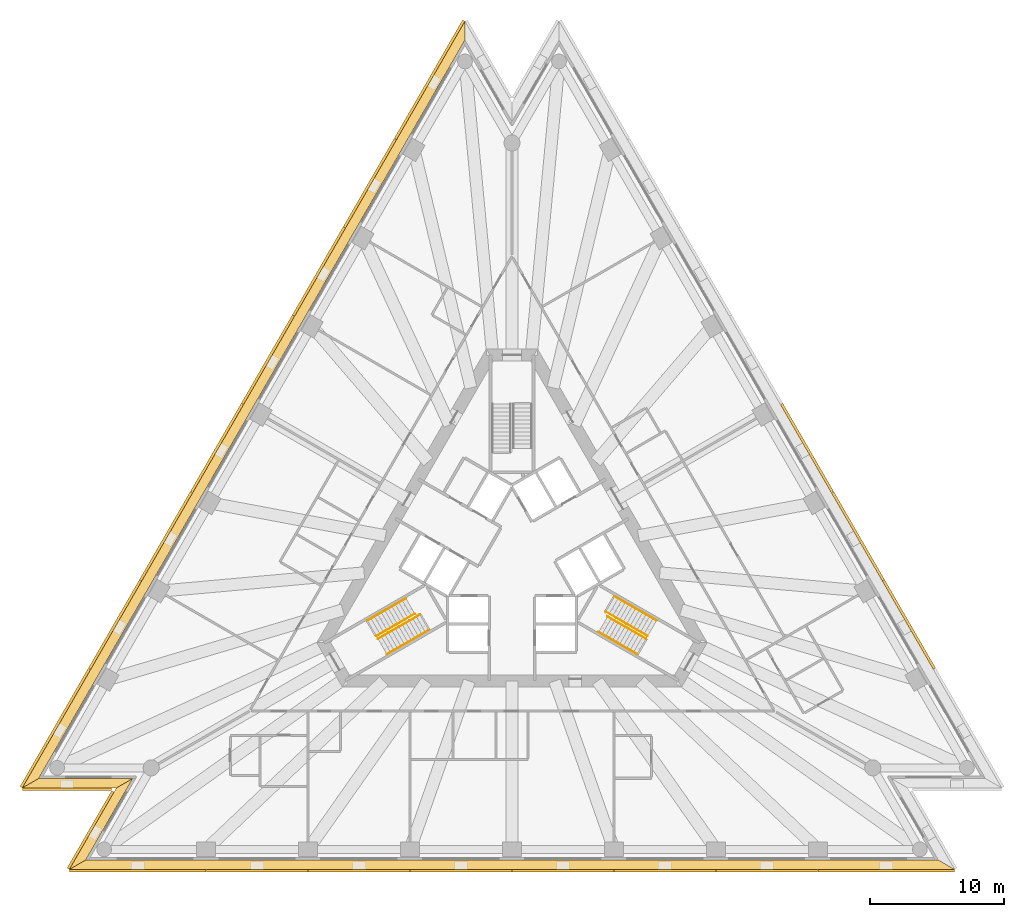
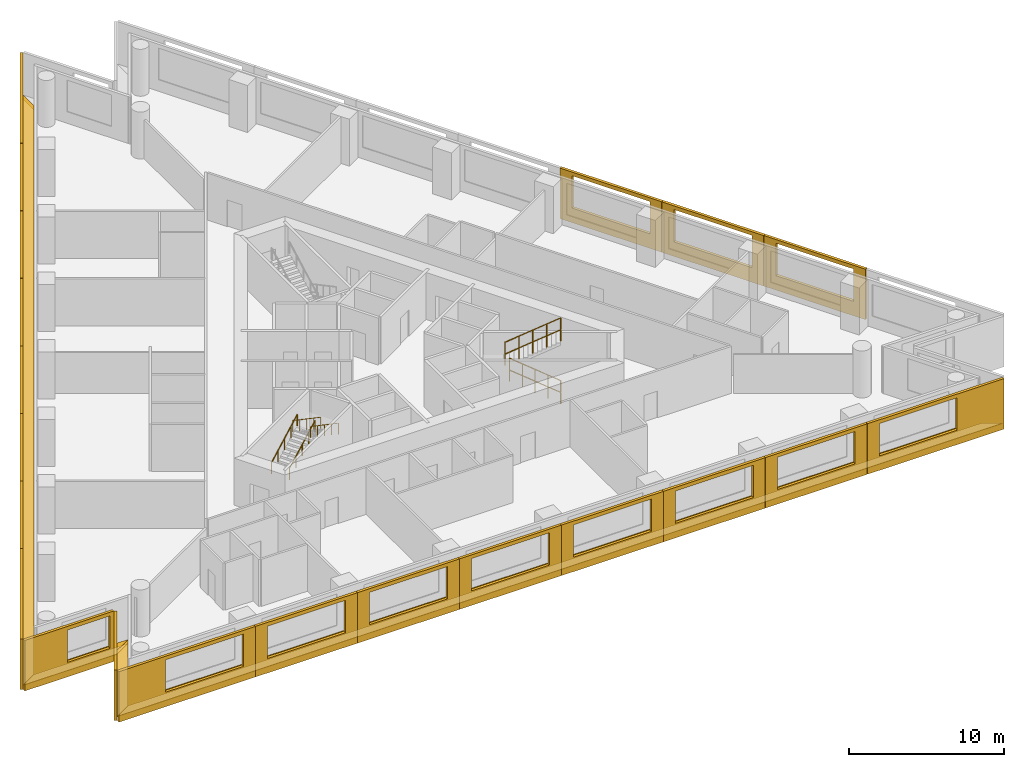
# One storey, part 10 of 11: 25 shading devices, 8 railings, 4 coverings, 2 elements without a shape of their own.
"""IFC4 building model written with IfcOpenShell, lengths in metres."""

import ifcopenshell
import ifcopenshell.guid

model = None  # the IFC model being written
_history = None  # IfcOwnerHistory: only IFC2X3 demands one
_inside = {}  # id of a spatial element -> (the spatial element, [elements in it])
_under = {}  # id of a project, library or spatial element -> (it, [spatial elements below it])
_declared = {}  # id of a project -> (the project, [libraries it declares])
_typed = {}  # id of a type object -> (the type object, [elements of that type])
_made_of = {}  # id of a material, layer set ... -> (it, [elements and type objects made of it])


def new_model(schema):
    """Start an empty IFC model of exactly this schema.

    Asked for "IFC4X3", IfcOpenShell would pick the latest addendum, in which some entities
    have other attributes; the version numbers below select the first issue.
    IFC2X3 requires an IfcOwnerHistory on every rooted entity: one is made here for all.
    """
    global model, _history
    if schema == "IFC4X3":
        model = ifcopenshell.file(schema_version=(4, 3, 0, 0))
    else:
        model = ifcopenshell.file(schema=schema)
    _inside.clear()
    _under.clear()
    _declared.clear()
    _typed.clear()
    _made_of.clear()
    _history = None
    if model.schema == "IFC2X3":
        org = make("IfcOrganization", Name="unknown")
        user = make(
            "IfcPersonAndOrganization",
            ThePerson=make("IfcPerson", FamilyName="unknown"),
            TheOrganization=org,
        )
        app = make(
            "IfcApplication",
            ApplicationDeveloper=org,
            Version="unknown",
            ApplicationFullName="unknown",
            ApplicationIdentifier="unknown",
        )
        _history = make(
            "IfcOwnerHistory",
            OwningUser=user,
            OwningApplication=app,
            ChangeAction="ADDED",
            CreationDate=0,
        )
    return model


def make(cls, **values):
    """One entity of the class cls with the attributes given. An attribute that is None is left unset."""
    return model.create_entity(
        cls, **{name: value for name, value in values.items() if value is not None}
    )


def rooted(cls, **values):
    """An entity with a GlobalId (a new one), such as an element, a storey or a relation."""
    return make(cls, GlobalId=ifcopenshell.guid.new(), OwnerHistory=_history, **values)


def si_unit(unit_type, name, prefix=None):
    """IfcSIUnit, for example si_unit("LENGTHUNIT", "METRE", prefix="MILLI")."""
    return make("IfcSIUnit", UnitType=unit_type, Prefix=prefix, Name=name)


def assignment(units):
    """IfcUnitAssignment: the units of a project."""
    return None if units is None else make("IfcUnitAssignment", Units=units)


def point(xyz):
    """IfcCartesianPoint."""
    return None if xyz is None else make("IfcCartesianPoint", Coordinates=xyz)


def direction(xyz):
    """IfcDirection."""
    return None if xyz is None else make("IfcDirection", DirectionRatios=xyz)


def frame(location, z_axis=None, x_axis=None):
    """IfcAxis2Placement3D, a coordinate frame: its origin and axes. An axis left out is left unset."""
    return make(
        "IfcAxis2Placement3D",
        Location=point(location),
        Axis=direction(z_axis),
        RefDirection=direction(x_axis),
    )


def frame_2d(location, x_axis=None):
    """IfcAxis2Placement2D, a coordinate frame in the plane: its origin and x axis."""
    return make(
        "IfcAxis2Placement2D", Location=point(location), RefDirection=direction(x_axis)
    )


def origin():
    """The frame at (0, 0, 0) with its axes left unset."""
    return frame((0.0, 0.0, 0.0))


def origin_2d():
    """The frame at (0, 0) in the plane with its x axis left unset."""
    return frame_2d((0.0, 0.0))


def place(relative_to, where):
    """IfcLocalPlacement: puts the frame where relative to a parent placement (None: the world)."""
    return make(
        "IfcLocalPlacement", PlacementRelTo=relative_to, RelativePlacement=where
    )


def context(
    kind, dimensions, precision=None, world=None, true_north=None, identifier=None
):
    """IfcGeometricRepresentationContext, for example the 3D "Model" context."""
    return make(
        "IfcGeometricRepresentationContext",
        ContextIdentifier=identifier,
        ContextType=kind,
        CoordinateSpaceDimension=dimensions,
        Precision=precision,
        WorldCoordinateSystem=world,
        TrueNorth=true_north,
    )


def subcontext(parent, identifier, kind, view, scale=None):
    """IfcGeometricRepresentationSubContext, for example "Body" below "Model"."""
    return make(
        "IfcGeometricRepresentationSubContext",
        ContextIdentifier=identifier,
        ContextType=kind,
        ParentContext=parent,
        TargetScale=scale,
        TargetView=view,
    )


def project(units=None, contexts=None):
    """IfcProject with its units and contexts."""
    return rooted(
        "IfcProject",
        Name="project",
        RepresentationContexts=contexts,
        UnitsInContext=assignment(units),
    )


def spatial(cls, under=None, at=None, **own):
    """A site, building, storey or space (cls), placed at a placement, below another one or the project."""
    s = rooted(cls, ObjectPlacement=at, **own)
    if under is not None:
        _under.setdefault(under.id(), (under, []))[1].append(s)
    return s


def polyline(points):
    """IfcPolyline through the points."""
    return make("IfcPolyline", Points=[point(p) for p in points])


def profile(cls, at=None, kind="AREA", **sizes):
    """A parametric profile (cls). Its sizes go by their IFC names, for example OverallWidth=200.0."""
    return make(cls, ProfileType=kind, Position=at, **sizes)


def circle(**sizes):
    """IfcCircleProfileDef."""
    return profile("IfcCircleProfileDef", **sizes)


def outline(outer, holes=None, kind="AREA"):
    """IfcArbitraryClosedProfileDef: a profile drawn as a closed curve; with holes, ...WithVoids."""
    if holes is None:
        return make("IfcArbitraryClosedProfileDef", ProfileType=kind, OuterCurve=outer)
    return make(
        "IfcArbitraryProfileDefWithVoids",
        ProfileType=kind,
        OuterCurve=outer,
        InnerCurves=holes,
    )


def extrude(swept, where, along, depth):
    """IfcExtrudedAreaSolid: the profile swept, set in the frame where, extruded along a direction by depth."""
    return make(
        "IfcExtrudedAreaSolid",
        SweptArea=swept,
        Position=where,
        ExtrudedDirection=direction(along),
        Depth=depth,
    )


def shape(context_of_items, identifier, shape_type, items):
    """IfcShapeRepresentation: the items that make up one representation, for example the "Body"."""
    return make(
        "IfcShapeRepresentation",
        ContextOfItems=context_of_items,
        RepresentationIdentifier=identifier,
        RepresentationType=shape_type,
        Items=items,
    )


def material(Name=None, Category=None):
    """IfcMaterial."""
    return make("IfcMaterial", Name=Name, Category=Category)


def layer(
    of_material, thickness, ventilated=None, Name=None, Category=None, Priority=None
):
    """IfcMaterialLayer: one layer of a wall or slab, of a material (None: an air gap)."""
    return make(
        "IfcMaterialLayer",
        Material=of_material,
        LayerThickness=thickness,
        IsVentilated=ventilated,
        Name=Name,
        Category=Category,
        Priority=Priority,
    )


def layer_set(layers, Name=None):
    """IfcMaterialLayerSet."""
    return make("IfcMaterialLayerSet", MaterialLayers=layers, LayerSetName=Name)


def layer_usage(for_layer_set, set_direction, sense, offset, extent=None):
    """IfcMaterialLayerSetUsage: how a layer set lies in its element."""
    return make(
        "IfcMaterialLayerSetUsage",
        ForLayerSet=for_layer_set,
        LayerSetDirection=set_direction,
        DirectionSense=sense,
        OffsetFromReferenceLine=offset,
        ReferenceExtent=extent,
    )


def made_of(thing, what):
    """Note that an element or type object is made of a material, layer set ...; save() writes the relation."""
    if what is not None:
        _made_of.setdefault(what.id(), (what, []))[1].append(thing)
    return thing


def type_object(cls, material=None, **own):
    """A type object (cls), such as IfcWallType, which elements share."""
    return made_of(rooted(cls, **own), material)


def element(
    cls,
    number,
    at=None,
    inside=None,
    cuts=None,
    type_object=None,
    material=None,
    context=None,
    identifier="Body",
    shape_type=None,
    held_by="IfcProductDefinitionShape",
    body=None,
    shapes=None,
    **own,
):
    """One element of the class cls, such as IfcWall. Its Tag is "e" and its number.

    at: its placement. inside: the storey or other place that contains it. cuts: it is an
    opening in that element (IfcRelVoidsElement). A single representation is given by context,
    identifier, shape_type and body (its items); several are given by shapes. held_by: the class
    of the entity that holds the representations. save() writes the other relations.
    """
    e = rooted(cls, Tag="e%d" % number, ObjectPlacement=at, **own)
    if body is not None:
        shapes = [shape(context, identifier, shape_type, body)]
    if shapes is not None:
        e.Representation = make(held_by, Representations=shapes)
    if inside is not None:
        _inside.setdefault(inside.id(), (inside, []))[1].append(e)
    if cuts is not None:
        rooted(
            "IfcRelVoidsElement", RelatingBuildingElement=cuts, RelatedOpeningElement=e
        )
    if type_object is not None:
        _typed.setdefault(type_object.id(), (type_object, []))[1].append(e)
    return made_of(e, material)


def aggregate(whole, parts):
    """IfcRelAggregates: a whole, such as a stair, and the parts it consists of."""
    return rooted("IfcRelAggregates", RelatingObject=whole, RelatedObjects=parts)


def save(model, path):
    """Write the relations noted so far, then the file.

    IfcRelAggregates (storeys below a building ...), IfcRelContainedInSpatialStructure (elements
    in a storey), IfcRelDefinesByType, IfcRelAssociatesMaterial and IfcRelDeclares: one each for
    every whole, place, type object, material and project.
    """
    for whole, parts in _under.values():
        aggregate(whole, parts)
    for where, things in _inside.values():
        rooted(
            "IfcRelContainedInSpatialStructure",
            RelatedElements=things,
            RelatingStructure=where,
        )
    for kind, things in _typed.values():
        rooted("IfcRelDefinesByType", RelatedObjects=things, RelatingType=kind)
    for what, things in _made_of.values():
        rooted("IfcRelAssociatesMaterial", RelatedObjects=things, RelatingMaterial=what)
    for by, libraries in _declared.values():
        rooted("IfcRelDeclares", RelatingContext=by, RelatedDefinitions=libraries)
    model.write(path)


model = new_model("IFC4")

# Units and contexts
model_context = context("Model", 3, precision=1e-05, world=origin(), true_north=direction((0.0, 1.0)))
body_context = subcontext(model_context, "Body", "Model", "MODEL_VIEW")
ifc_project = project(units=[si_unit("LENGTHUNIT", "METRE"), si_unit("AREAUNIT", "SQUARE_METRE"), si_unit("VOLUMEUNIT", "CUBIC_METRE"), si_unit("PLANEANGLEUNIT", "RADIAN"), si_unit("MASSUNIT", "GRAM", prefix="KILO")], contexts=[model_context])

# Site, building, storey
site_placement = place(None, origin())
site = spatial("IfcSite", under=ifc_project, at=site_placement, CompositionType="ELEMENT")
building_placement = place(site_placement, origin())
building = spatial("IfcBuilding", under=site, at=building_placement, Name="Triada Interchange Tower", CompositionType="ELEMENT")
storey_placement = place(building_placement, frame((0.0, 0.0, 35.300048828125)))
storey = spatial("IfcBuildingStorey", under=building, at=storey_placement, Name="L06", CompositionType="ELEMENT", Elevation=35.300048828125)

# Coverings
ifc_material_1 = material(Name="Mineral fire-stop board")
ifc_layer_1 = layer(ifc_material_1, 0.0400390625, Name="Mineral fire-stop board")
ifc_material_2 = material(Name="Intumescent sealant")
ifc_layer_2 = layer(ifc_material_2, 0.010009765625, Name="Intumescent seal")
ifc_layer_set_1 = layer_set([ifc_layer_1, ifc_layer_2], Name="Cavity fire stop")
ifc_layer_usage = layer_usage(ifc_layer_set_1, "AXIS3", "POSITIVE", 0.0)
covering_type = type_object("IfcCoveringType", Name="Cavity fire stop", PredefinedType="INSULATION", material=ifc_layer_set_1)
covering_1_placement = place(storey_placement, origin())
element("IfcCovering", 1, at=covering_1_placement, inside=storey, type_object=covering_type, material=ifc_layer_usage, Name="Cavity fire stop L06 NW", PredefinedType="INSULATION", context=body_context, shape_type="SweptSolid", body=[
    extrude(outline(polyline([(-3.507080078125, 38.72509765625), (-3.507080078125, 40.125), (-36.5029296875, -17.02490234375), (-35.291015625, -16.324951171875), (-3.507080078125, 38.72509765625)])), origin(), (0.0, 0.0, 1.0), 0.050048828125),
])
covering_2_placement = place(storey_placement, origin())
element("IfcCovering", 2, at=covering_2_placement, inside=storey, type_object=covering_type, material=ifc_layer_usage, Name="Cavity fire stop L06 SW-1", PredefinedType="INSULATION", context=body_context, shape_type="SweptSolid", body=[
    extrude(outline(polyline([(-35.291015625, -16.324951171875), (-36.5029296875, -17.02490234375), (-29.488037109375, -17.02490234375), (-28.27587890625, -16.324951171875), (-35.291015625, -16.324951171875)])), origin(), (0.0, 0.0, 1.0), 0.050048828125),
])
covering_3_placement = place(storey_placement, origin())
element("IfcCovering", 3, at=covering_3_placement, inside=storey, type_object=covering_type, material=ifc_layer_usage, Name="Cavity fire stop L06 SW-2", PredefinedType="INSULATION", context=body_context, shape_type="SweptSolid", body=[
    extrude(outline(polyline([(-28.27587890625, -16.324951171875), (-29.488037109375, -17.02490234375), (-32.9951171875, -23.10009765625), (-31.782958984375, -22.39990234375), (-28.27587890625, -16.324951171875)])), origin(), (0.0, 0.0, 1.0), 0.050048828125),
])
covering_4_placement = place(storey_placement, origin())
element("IfcCovering", 4, at=covering_4_placement, inside=storey, type_object=covering_type, material=ifc_layer_usage, Name="Cavity fire stop L06 S", PredefinedType="INSULATION", context=body_context, shape_type="SweptSolid", body=[
    extrude(outline(polyline([(-31.782958984375, -22.39990234375), (-32.9951171875, -23.10009765625), (32.9951171875, -23.10009765625), (31.782958984375, -22.39990234375), (-31.782958984375, -22.39990234375)])), origin(), (0.0, 0.0, 1.0), 0.050048828125),
])

# Shading devices
ifc_material_3 = material(Name="Aluminium louvre", Category="aluminium")
shading_device_type_1 = type_object("IfcShadingDeviceType", Name="Cavity louvre grille", PredefinedType="JALOUSIE", material=ifc_material_3)
shading_device_1_placement = place(storey_placement, frame((0.0, 0.0, 0.050048828125)))
element("IfcShadingDevice", 5, at=shading_device_1_placement, inside=storey, type_object=shading_device_type_1, Name="Cavity louvre grille L06 NW", PredefinedType="JALOUSIE", context=body_context, shape_type="SweptSolid", body=[
    extrude(outline(polyline([(-3.507080078125, 38.72509765625), (-3.507080078125, 40.125), (-36.5029296875, -17.02490234375), (-35.291015625, -16.324951171875), (-3.507080078125, 38.72509765625)])), origin(), (0.0, 0.0, 1.0), 0.2998046875),
])
shading_device_2_placement = place(storey_placement, frame((0.0, 0.0, 0.050048828125)))
element("IfcShadingDevice", 6, at=shading_device_2_placement, inside=storey, type_object=shading_device_type_1, Name="Cavity louvre grille L06 SW-1", PredefinedType="JALOUSIE", context=body_context, shape_type="SweptSolid", body=[
    extrude(outline(polyline([(-35.291015625, -16.324951171875), (-36.5029296875, -17.02490234375), (-29.488037109375, -17.02490234375), (-28.27587890625, -16.324951171875), (-35.291015625, -16.324951171875)])), origin(), (0.0, 0.0, 1.0), 0.2998046875),
])
shading_device_3_placement = place(storey_placement, frame((0.0, 0.0, 0.050048828125)))
element("IfcShadingDevice", 7, at=shading_device_3_placement, inside=storey, type_object=shading_device_type_1, Name="Cavity louvre grille L06 SW-2", PredefinedType="JALOUSIE", context=body_context, shape_type="SweptSolid", body=[
    extrude(outline(polyline([(-28.27587890625, -16.324951171875), (-29.488037109375, -17.02490234375), (-32.9951171875, -23.10009765625), (-31.782958984375, -22.39990234375), (-28.27587890625, -16.324951171875)])), origin(), (0.0, 0.0, 1.0), 0.2998046875),
])
shading_device_4_placement = place(storey_placement, frame((0.0, 0.0, 0.050048828125)))
element("IfcShadingDevice", 8, at=shading_device_4_placement, inside=storey, type_object=shading_device_type_1, Name="Cavity louvre grille L06 S", PredefinedType="JALOUSIE", context=body_context, shape_type="SweptSolid", body=[
    extrude(outline(polyline([(-31.782958984375, -22.39990234375), (-32.9951171875, -23.10009765625), (32.9951171875, -23.10009765625), (31.782958984375, -22.39990234375), (-31.782958984375, -22.39990234375)])), origin(), (0.0, 0.0, 1.0), 0.2998046875),
])
ifc_material_4 = material(Name="Concrete C50/60 precast", Category="concrete")
ifc_layer_3 = layer(ifc_material_4, 0.02001953125, Name="Exposed aggregate face")
ifc_layer_4 = layer(ifc_material_4, 0.179931640625, Name="Precast concrete screen")
ifc_layer_set_2 = layer_set([ifc_layer_3, ifc_layer_4], Name="Outer skin screen panel 3980")
shading_device_type_2 = type_object("IfcShadingDeviceType", Name="Outer skin screen panel 3980", PredefinedType="SHUTTER", material=ifc_layer_set_2)
shading_device_5_placement = place(storey_placement, frame((-3.511962890625, 40.115966796875, -0.2900390625), z_axis=(0.0, 0.0, 1.0), x_axis=(-0.500026996568, -0.866009816748, 0.0)))
element("IfcShadingDevice", 9, at=shading_device_5_placement, inside=storey, type_object=shading_device_type_2, Name="Outer skin screen panel L06 01", PredefinedType="SHUTTER", context=body_context, shape_type="SweptSolid", body=[
    extrude(outline(polyline([(0.0, 0.0), (10.177734375, 0.0), (10.177734375, 3.97998046875), (0.0, 3.97998046875), (0.0, 0.0)]), holes=[polyline([(3.487548828125, 1.139892578125), (3.487548828125, 3.68994140625), (9.28759765625, 3.68994140625), (9.28759765625, 1.139892578125), (3.487548828125, 1.139892578125)])]), frame((0.0, 0.0, 0.0), z_axis=(0.0, -1.0, 0.0), x_axis=(1.0, 0.0, 0.0)), (0.0, 0.0, 1.0), 0.199951171875),
])
shading_device_6_placement = place(storey_placement, frame((-8.611083984375, 31.284912109375, -0.2900390625), z_axis=(0.0, 0.0, 1.0), x_axis=(-0.500008712905, -0.866020373328, 0.0)))
element("IfcShadingDevice", 10, at=shading_device_6_placement, inside=storey, type_object=shading_device_type_2, Name="Outer skin screen panel L06 02", PredefinedType="SHUTTER", context=body_context, shape_type="SweptSolid", body=[
    extrude(outline(polyline([(0.0, 0.0), (7.579345703125, 0.0), (7.579345703125, 3.97998046875), (0.0, 3.97998046875), (0.0, 0.0)]), holes=[polyline([(0.89013671875, 1.139892578125), (0.89013671875, 3.68994140625), (6.690185546875, 3.68994140625), (6.690185546875, 1.139892578125), (0.89013671875, 1.139892578125)])]), frame((0.0, 0.0, 0.0), z_axis=(0.0, -1.0, 0.0), x_axis=(1.0, 0.0, 0.0)), (0.0, 0.0, 1.0), 0.199951171875),
])
shading_device_7_placement = place(storey_placement, frame((-12.410888671875, 24.7041015625, -0.2900390625), z_axis=(0.0, 0.0, 1.0), x_axis=(-0.499922287265, -0.866070266604, 0.0)))
element("IfcShadingDevice", 11, at=shading_device_7_placement, inside=storey, type_object=shading_device_type_2, Name="Outer skin screen panel L06 03", PredefinedType="SHUTTER", context=body_context, shape_type="SweptSolid", body=[
    extrude(outline(polyline([(0.0, 0.0), (7.579345703125, 0.0), (7.579345703125, 3.97998046875), (0.0, 3.97998046875), (0.0, 0.0)]), holes=[polyline([(0.8896484375, 1.139892578125), (0.8896484375, 3.68994140625), (6.689697265625, 3.68994140625), (6.689697265625, 1.139892578125), (0.8896484375, 1.139892578125)])]), frame((0.0, 0.0, 0.0), z_axis=(0.0, -1.0, 0.0), x_axis=(1.0, 0.0, 0.0)), (0.0, 0.0, 1.0), 0.199951171875),
])
shading_device_8_placement = place(storey_placement, frame((-16.2099609375, 18.123046875, -0.2900390625), z_axis=(0.0, 0.0, 1.0), x_axis=(-0.500032870163, -0.866006425355, 0.0)))
element("IfcShadingDevice", 12, at=shading_device_8_placement, inside=storey, type_object=shading_device_type_2, Name="Outer skin screen panel L06 04", PredefinedType="SHUTTER", context=body_context, shape_type="SweptSolid", body=[
    extrude(outline(polyline([(0.0, 0.0), (7.57958984375, 0.0), (7.57958984375, 3.97998046875), (0.0, 3.97998046875), (0.0, 0.0)]), holes=[polyline([(0.889404296875, 1.139892578125), (0.889404296875, 3.68994140625), (6.689208984375, 3.68994140625), (6.689208984375, 1.139892578125), (0.889404296875, 1.139892578125)])]), frame((0.0, 0.0, 0.0), z_axis=(0.0, -1.0, 0.0), x_axis=(1.0, 0.0, 0.0)), (0.0, 0.0, 1.0), 0.199951171875),
])
shading_device_9_placement = place(storey_placement, frame((-20.010009765625, 11.541015625, -0.2900390625), z_axis=(0.0, 0.0, 1.0), x_axis=(-0.500032870163, -0.866006425355, 0.0)))
element("IfcShadingDevice", 13, at=shading_device_9_placement, inside=storey, type_object=shading_device_type_2, Name="Outer skin screen panel L06 05", PredefinedType="SHUTTER", context=body_context, shape_type="SweptSolid", body=[
    extrude(outline(polyline([(0.0, 0.0), (7.57958984375, 0.0), (7.57958984375, 3.97998046875), (0.0, 3.97998046875), (0.0, 0.0)]), holes=[polyline([(0.889892578125, 1.139892578125), (0.889892578125, 3.68994140625), (6.68994140625, 3.68994140625), (6.68994140625, 1.139892578125), (0.889892578125, 1.139892578125)])]), frame((0.0, 0.0, 0.0), z_axis=(0.0, -1.0, 0.0), x_axis=(1.0, 0.0, 0.0)), (0.0, 0.0, 1.0), 0.199951171875),
])
shading_device_10_placement = place(storey_placement, frame((-23.81005859375, 4.9599609375, -0.2900390625), z_axis=(0.0, 0.0, 1.0), x_axis=(-0.500032870163, -0.866006425355, 0.0)))
element("IfcShadingDevice", 14, at=shading_device_10_placement, inside=storey, type_object=shading_device_type_2, Name="Outer skin screen panel L06 06", PredefinedType="SHUTTER", context=body_context, shape_type="SweptSolid", body=[
    extrude(outline(polyline([(0.0, 0.0), (7.57958984375, 0.0), (7.57958984375, 3.97998046875), (0.0, 3.97998046875), (0.0, 0.0)]), holes=[polyline([(0.889404296875, 1.139892578125), (0.889404296875, 3.68994140625), (6.689453125, 3.68994140625), (6.689453125, 1.139892578125), (0.889404296875, 1.139892578125)])]), frame((0.0, 0.0, 0.0), z_axis=(0.0, -1.0, 0.0), x_axis=(1.0, 0.0, 0.0)), (0.0, 0.0, 1.0), 0.199951171875),
])
shading_device_11_placement = place(storey_placement, frame((-27.610107421875, -1.62109375, -0.2900390625), z_axis=(0.0, 0.0, 1.0), x_axis=(-0.4999120722, -0.866076162972, 0.0)))
element("IfcShadingDevice", 15, at=shading_device_11_placement, inside=storey, type_object=shading_device_type_2, Name="Outer skin screen panel L06 07", PredefinedType="SHUTTER", context=body_context, shape_type="SweptSolid", body=[
    extrude(outline(polyline([(0.0, 0.0), (7.578857421875, 0.0), (7.578857421875, 3.97998046875), (0.0, 3.97998046875), (0.0, 0.0)]), holes=[polyline([(0.89013671875, 1.139892578125), (0.89013671875, 3.68994140625), (6.690185546875, 3.68994140625), (6.690185546875, 1.139892578125), (0.89013671875, 1.139892578125)])]), frame((0.0, 0.0, 0.0), z_axis=(0.0, -1.0, 0.0), x_axis=(1.0, 0.0, 0.0)), (0.0, 0.0, 1.0), 0.199951171875),
])
shading_device_12_placement = place(storey_placement, frame((-31.408935546875, -8.201904296875, -0.2900390625), z_axis=(0.0, 0.0, 1.0), x_axis=(-0.500016609325, -0.866015814174, 0.0)))
element("IfcShadingDevice", 16, at=shading_device_12_placement, inside=storey, type_object=shading_device_type_2, Name="Outer skin screen panel L06 08", PredefinedType="SHUTTER", context=body_context, shape_type="SweptSolid", body=[
    extrude(outline(polyline([(0.0, 0.0), (10.177978515625, 0.0), (10.177978515625, 3.97998046875), (0.0, 3.97998046875), (0.0, 0.0)]), holes=[polyline([(0.8896484375, 1.139892578125), (0.8896484375, 3.68994140625), (6.689697265625, 3.68994140625), (6.689697265625, 1.139892578125), (0.8896484375, 1.139892578125)])]), frame((0.0, 0.0, 0.0), z_axis=(0.0, -1.0, 0.0), x_axis=(1.0, 0.0, 0.0)), (0.0, 0.0, 1.0), 0.199951171875),
])
shading_device_13_placement = place(storey_placement, frame((-36.492919921875, -17.02490234375, -0.2900390625), z_axis=(0.0, 0.0, 1.0), x_axis=(1.0, 0.0, 0.0)))
element("IfcShadingDevice", 17, at=shading_device_13_placement, inside=storey, type_object=shading_device_type_2, Name="Outer skin screen panel L06 09", PredefinedType="SHUTTER", context=body_context, shape_type="SweptSolid", body=[
    extrude(outline(polyline([(0.0, 0.0), (6.64794921875, 0.0), (6.64794921875, 3.97998046875), (0.0, 3.97998046875), (0.0, 0.0)]), holes=[polyline([(3.175048828125, 1.139892578125), (3.175048828125, 3.68994140625), (6.347900390625, 3.68994140625), (6.347900390625, 1.139892578125), (3.175048828125, 1.139892578125)])]), frame((0.0, 0.0, 0.0), z_axis=(0.0, -1.0, 0.0), x_axis=(1.0, 0.0, 0.0)), (0.0, 0.0, 1.0), 0.199951171875),
])
shading_device_14_placement = place(storey_placement, frame((-29.666015625, -17.333984375, -0.2900390625), z_axis=(0.0, 0.0, 1.0), x_axis=(-0.50001386285, -0.866017399916, 0.0)))
element("IfcShadingDevice", 18, at=shading_device_14_placement, inside=storey, type_object=shading_device_type_2, Name="Outer skin screen panel L06 10", PredefinedType="SHUTTER", context=body_context, shape_type="SweptSolid", body=[
    extrude(outline(polyline([(0.0, 0.0), (6.647705078125, 0.0), (6.647705078125, 3.97998046875), (0.0, 3.97998046875), (0.0, 0.0)]), holes=[polyline([(0.300048828125, 1.139892578125), (0.300048828125, 3.68994140625), (2.9580078125, 3.68994140625), (2.9580078125, 1.139892578125), (0.300048828125, 1.139892578125)])]), frame((0.0, 0.0, 0.0), z_axis=(0.0, -1.0, 0.0), x_axis=(1.0, 0.0, 0.0)), (0.0, 0.0, 1.0), 0.199951171875),
])
shading_device_15_placement = place(storey_placement, frame((-32.985107421875, -23.10009765625, -0.2900390625), z_axis=(0.0, 0.0, 1.0), x_axis=(1.0, 0.0, 0.0)))
element("IfcShadingDevice", 19, at=shading_device_15_placement, inside=storey, type_object=shading_device_type_2, Name="Outer skin screen panel L06 11", PredefinedType="SHUTTER", context=body_context, shape_type="SweptSolid", body=[
    extrude(outline(polyline([(0.0, 0.0), (10.177001953125, 0.0), (10.177001953125, 3.97998046875), (0.0, 3.97998046875), (0.0, 0.0)]), holes=[polyline([(3.488037109375, 1.139892578125), (3.488037109375, 3.68994140625), (9.2880859375, 3.68994140625), (9.2880859375, 1.139892578125), (3.488037109375, 1.139892578125)])]), frame((0.0, 0.0, 0.0), z_axis=(0.0, -1.0, 0.0), x_axis=(1.0, 0.0, 0.0)), (0.0, 0.0, 1.0), 0.199951171875),
])
shading_device_16_placement = place(storey_placement, frame((-22.7880859375, -23.10009765625, -0.2900390625), z_axis=(0.0, 0.0, 1.0), x_axis=(1.0, 0.0, 0.0)))
element("IfcShadingDevice", 20, at=shading_device_16_placement, inside=storey, type_object=shading_device_type_2, Name="Outer skin screen panel L06 12", PredefinedType="SHUTTER", context=body_context, shape_type="SweptSolid", body=[
    extrude(outline(polyline([(0.0, 0.0), (7.580078125, 0.0), (7.580078125, 3.97998046875), (0.0, 3.97998046875), (0.0, 0.0)]), holes=[polyline([(0.889892578125, 1.139892578125), (0.889892578125, 3.68994140625), (6.689697265625, 3.68994140625), (6.689697265625, 1.139892578125), (0.889892578125, 1.139892578125)])]), frame((0.0, 0.0, 0.0), z_axis=(0.0, -1.0, 0.0), x_axis=(1.0, 0.0, 0.0)), (0.0, 0.0, 1.0), 0.199951171875),
])
shading_device_17_placement = place(storey_placement, frame((-15.18798828125, -23.10009765625, -0.2900390625), z_axis=(0.0, 0.0, 1.0), x_axis=(1.0, 0.0, 0.0)))
element("IfcShadingDevice", 21, at=shading_device_17_placement, inside=storey, type_object=shading_device_type_2, Name="Outer skin screen panel L06 13", PredefinedType="SHUTTER", context=body_context, shape_type="SweptSolid", body=[
    extrude(outline(polyline([(0.0, 0.0), (7.5791015625, 0.0), (7.5791015625, 3.97998046875), (0.0, 3.97998046875), (0.0, 0.0)]), holes=[polyline([(0.889404296875, 1.139892578125), (0.889404296875, 3.68994140625), (6.689453125, 3.68994140625), (6.689453125, 1.139892578125), (0.889404296875, 1.139892578125)])]), frame((0.0, 0.0, 0.0), z_axis=(0.0, -1.0, 0.0), x_axis=(1.0, 0.0, 0.0)), (0.0, 0.0, 1.0), 0.199951171875),
])
shading_device_18_placement = place(storey_placement, frame((-7.589111328125, -23.10009765625, -0.2900390625), z_axis=(0.0, 0.0, 1.0), x_axis=(1.0, 0.0, 0.0)))
element("IfcShadingDevice", 22, at=shading_device_18_placement, inside=storey, type_object=shading_device_type_2, Name="Outer skin screen panel L06 14", PredefinedType="SHUTTER", context=body_context, shape_type="SweptSolid", body=[
    extrude(outline(polyline([(0.0, 0.0), (7.5791015625, 0.0), (7.5791015625, 3.97998046875), (0.0, 3.97998046875), (0.0, 0.0)]), holes=[polyline([(0.88916015625, 1.139892578125), (0.88916015625, 3.68994140625), (6.689208984375, 3.68994140625), (6.689208984375, 1.139892578125), (0.88916015625, 1.139892578125)])]), frame((0.0, 0.0, 0.0), z_axis=(0.0, -1.0, 0.0), x_axis=(1.0, 0.0, 0.0)), (0.0, 0.0, 1.0), 0.199951171875),
])
shading_device_19_placement = place(storey_placement, frame((0.010009765625, -23.10009765625, -0.2900390625), z_axis=(0.0, 0.0, 1.0), x_axis=(1.0, 0.0, 0.0)))
element("IfcShadingDevice", 23, at=shading_device_19_placement, inside=storey, type_object=shading_device_type_2, Name="Outer skin screen panel L06 15", PredefinedType="SHUTTER", context=body_context, shape_type="SweptSolid", body=[
    extrude(outline(polyline([(0.0, 0.0), (7.5791015625, 0.0), (7.5791015625, 3.97998046875), (0.0, 3.97998046875), (0.0, 0.0)]), holes=[polyline([(0.889892578125, 1.139892578125), (0.889892578125, 3.68994140625), (6.68994140625, 3.68994140625), (6.68994140625, 1.139892578125), (0.889892578125, 1.139892578125)])]), frame((0.0, 0.0, 0.0), z_axis=(0.0, -1.0, 0.0), x_axis=(1.0, 0.0, 0.0)), (0.0, 0.0, 1.0), 0.199951171875),
])
shading_device_20_placement = place(storey_placement, frame((7.60888671875, -23.10009765625, -0.2900390625), z_axis=(0.0, 0.0, 1.0), x_axis=(1.0, 0.0, 0.0)))
element("IfcShadingDevice", 24, at=shading_device_20_placement, inside=storey, type_object=shading_device_type_2, Name="Outer skin screen panel L06 16", PredefinedType="SHUTTER", context=body_context, shape_type="SweptSolid", body=[
    extrude(outline(polyline([(0.0, 0.0), (7.580078125, 0.0), (7.580078125, 3.97998046875), (0.0, 3.97998046875), (0.0, 0.0)]), holes=[polyline([(0.8896484375, 1.139892578125), (0.8896484375, 3.68994140625), (6.689697265625, 3.68994140625), (6.689697265625, 1.139892578125), (0.8896484375, 1.139892578125)])]), frame((0.0, 0.0, 0.0), z_axis=(0.0, -1.0, 0.0), x_axis=(1.0, 0.0, 0.0)), (0.0, 0.0, 1.0), 0.199951171875),
])
shading_device_21_placement = place(storey_placement, frame((15.2080078125, -23.10009765625, -0.2900390625), z_axis=(0.0, 0.0, 1.0), x_axis=(1.0, 0.0, 0.0)))
element("IfcShadingDevice", 25, at=shading_device_21_placement, inside=storey, type_object=shading_device_type_2, Name="Outer skin screen panel L06 17", PredefinedType="SHUTTER", context=body_context, shape_type="SweptSolid", body=[
    extrude(outline(polyline([(0.0, 0.0), (7.580078125, 0.0), (7.580078125, 3.97998046875), (0.0, 3.97998046875), (0.0, 0.0)]), holes=[polyline([(0.889404296875, 1.139892578125), (0.889404296875, 3.68994140625), (6.689453125, 3.68994140625), (6.689453125, 1.139892578125), (0.889404296875, 1.139892578125)])]), frame((0.0, 0.0, 0.0), z_axis=(0.0, -1.0, 0.0), x_axis=(1.0, 0.0, 0.0)), (0.0, 0.0, 1.0), 0.199951171875),
])
shading_device_22_placement = place(storey_placement, frame((22.80810546875, -23.10009765625, -0.2900390625), z_axis=(0.0, 0.0, 1.0), x_axis=(1.0, 0.0, 0.0)))
element("IfcShadingDevice", 26, at=shading_device_22_placement, inside=storey, type_object=shading_device_type_2, Name="Outer skin screen panel L06 18", PredefinedType="SHUTTER", context=body_context, shape_type="SweptSolid", body=[
    extrude(outline(polyline([(0.0, 0.0), (10.177001953125, 0.0), (10.177001953125, 3.97998046875), (0.0, 3.97998046875), (0.0, 0.0)]), holes=[polyline([(0.889404296875, 1.139892578125), (0.889404296875, 3.68994140625), (6.689208984375, 3.68994140625), (6.689208984375, 1.139892578125), (0.889404296875, 1.139892578125)])]), frame((0.0, 0.0, 0.0), z_axis=(0.0, -1.0, 0.0), x_axis=(1.0, 0.0, 0.0)), (0.0, 0.0, 1.0), 0.199951171875),
])
shading_device_23_placement = place(storey_placement, frame((31.39892578125, -8.18505859375, -0.2900390625), z_axis=(0.0, 0.0, 1.0), x_axis=(-0.4999120722, 0.866076162972, 0.0)))
element("IfcShadingDevice", 27, at=shading_device_23_placement, inside=storey, type_object=shading_device_type_2, Name="Outer skin screen panel L06 22", PredefinedType="SHUTTER", context=body_context, shape_type="SweptSolid", body=[
    extrude(outline(polyline([(0.0, 0.0), (7.578857421875, 0.0), (7.578857421875, 3.97998046875), (0.0, 3.97998046875), (0.0, 0.0)]), holes=[polyline([(0.889892578125, 1.139892578125), (0.889892578125, 3.68994140625), (6.689697265625, 3.68994140625), (6.689697265625, 1.139892578125), (0.889892578125, 1.139892578125)])]), frame((0.0, 0.0, 0.0), z_axis=(0.0, -1.0, 0.0), x_axis=(1.0, 0.0, 0.0)), (0.0, 0.0, 1.0), 0.199951171875),
])
shading_device_24_placement = place(storey_placement, frame((27.60009765625, -1.60400390625, -0.2900390625), z_axis=(0.0, 0.0, 1.0), x_axis=(-0.500032870163, 0.866006425355, 0.0)))
element("IfcShadingDevice", 28, at=shading_device_24_placement, inside=storey, type_object=shading_device_type_2, Name="Outer skin screen panel L06 23", PredefinedType="SHUTTER", context=body_context, shape_type="SweptSolid", body=[
    extrude(outline(polyline([(0.0, 0.0), (7.57958984375, 0.0), (7.57958984375, 3.97998046875), (0.0, 3.97998046875), (0.0, 0.0)]), holes=[polyline([(0.889404296875, 1.139892578125), (0.889404296875, 3.68994140625), (6.689453125, 3.68994140625), (6.689453125, 1.139892578125), (0.889404296875, 1.139892578125)])]), frame((0.0, 0.0, 0.0), z_axis=(0.0, -1.0, 0.0), x_axis=(1.0, 0.0, 0.0)), (0.0, 0.0, 1.0), 0.199951171875),
])
shading_device_25_placement = place(storey_placement, frame((23.800048828125, 4.97705078125, -0.2900390625), z_axis=(0.0, 0.0, 1.0), x_axis=(-0.500032870163, 0.866006425355, 0.0)))
element("IfcShadingDevice", 29, at=shading_device_25_placement, inside=storey, type_object=shading_device_type_2, Name="Outer skin screen panel L06 24", PredefinedType="SHUTTER", context=body_context, shape_type="SweptSolid", body=[
    extrude(outline(polyline([(0.0, 0.0), (7.57958984375, 0.0), (7.57958984375, 3.97998046875), (0.0, 3.97998046875), (0.0, 0.0)]), holes=[polyline([(0.889892578125, 1.139892578125), (0.889892578125, 3.68994140625), (6.68994140625, 3.68994140625), (6.68994140625, 1.139892578125), (0.889892578125, 1.139892578125)])]), frame((0.0, 0.0, 0.0), z_axis=(0.0, -1.0, 0.0), x_axis=(1.0, 0.0, 0.0)), (0.0, 0.0, 1.0), 0.199951171875),
])

# Stair, railings
ifc_material_5 = material(Name="Concrete C35/45", Category="concrete")
stair_type = type_object("IfcStairType", Name="HALF TURN STAIR 1400", PredefinedType="HALF_TURN_STAIR", material=ifc_material_5)
stair_1_placement = place(storey_placement, origin())
stair_1 = element("IfcStair", 30, at=stair_1_placement, inside=storey, type_object=stair_type, Name="Exit stair S06-2", PredefinedType="HALF_TURN_STAIR")
ifc_material_6 = material(Name="Stainless steel 1.4301", Category="steel")
railing_type = type_object("IfcRailingType", Name="STAIR HANDRAIL 900", PredefinedType="HANDRAIL", material=ifc_material_6)
railing_1_placement = place(storey_placement, frame((-10.77099609375, -4.5439453125, 0.159912109375)))
railing_1 = element("IfcRailing", 31, at=railing_1_placement, type_object=railing_type, Name="Handrail S06-2 1W", PredefinedType="HANDRAIL", context=body_context, shape_type="SweptSolid", body=[
    extrude(circle(Radius=0.02392578125, at=origin_2d()), frame((0.0, 0.0, 0.8759765625), z_axis=(0.764150854273, 0.441152526326, 0.470593158077), x_axis=(-0.499974350878, 0.866040211805, 0.0)), (0.0, 0.0, 1.0), 3.739990234375),
    extrude(circle(Radius=0.02099609375, at=origin_2d()), origin(), (0.0, 0.0, 1.0), 0.851806640625),
    extrude(circle(Radius=0.02099609375, at=origin_2d()), frame((0.71435546875, 0.41259765625, 0.43994140625)), (0.0, 0.0, 1.0), 0.851806640625),
    extrude(circle(Radius=0.02099609375, at=origin_2d()), frame((1.428955078125, 0.824951171875, 0.8798828125)), (0.0, 0.0, 1.0), 0.851806640625),
    extrude(circle(Radius=0.02099609375, at=origin_2d()), frame((2.1435546875, 1.2373046875, 1.320068359375)), (0.0, 0.0, 1.0), 0.851806640625),
    extrude(circle(Radius=0.02099609375, at=origin_2d()), frame((2.85791015625, 1.64990234375, 1.760009765625)), (0.0, 0.0, 1.0), 0.851806640625),
])
railing_2_placement = place(storey_placement, frame((-10.10595703125, -5.696044921875, 0.159912109375)))
railing_2 = element("IfcRailing", 32, at=railing_2_placement, type_object=railing_type, Name="Handrail S06-2 1C", PredefinedType="HANDRAIL", context=body_context, shape_type="SweptSolid", body=[
    extrude(circle(Radius=0.02392578125, at=origin_2d()), frame((0.0, 0.0, 0.8759765625), z_axis=(0.76412884773, 0.441205098395, 0.470579605611), x_axis=(-0.50002983664, 0.866008176907, 0.0)), (0.0, 0.0, 1.0), 3.739990234375),
    extrude(circle(Radius=0.02099609375, at=origin_2d()), origin(), (0.0, 0.0, 1.0), 0.851806640625),
    extrude(circle(Radius=0.02099609375, at=origin_2d()), frame((0.71435546875, 0.41259765625, 0.43994140625)), (0.0, 0.0, 1.0), 0.851806640625),
    extrude(circle(Radius=0.02099609375, at=origin_2d()), frame((1.428955078125, 0.8251953125, 0.8798828125)), (0.0, 0.0, 1.0), 0.851806640625),
    extrude(circle(Radius=0.02099609375, at=origin_2d()), frame((2.1435546875, 1.237548828125, 1.320068359375)), (0.0, 0.0, 1.0), 0.851806640625),
    extrude(circle(Radius=0.02099609375, at=origin_2d()), frame((2.85791015625, 1.650146484375, 1.760009765625)), (0.0, 0.0, 1.0), 0.851806640625),
])
railing_3_placement = place(storey_placement, frame((-6.202880859375, -5.256103515625, 2.079833984375)))
railing_3 = element("IfcRailing", 33, at=railing_3_placement, type_object=railing_type, Name="Handrail S06-2 2W", PredefinedType="HANDRAIL", context=body_context, shape_type="SweptSolid", body=[
    extrude(circle(Radius=0.02392578125, at=origin_2d()), frame((0.0, 0.0, 0.8759765625), z_axis=(-0.764189758314, -0.441090424232, 0.470588196769), x_axis=(0.499902469156, -0.866081705922, 0.0)), (0.0, 0.0, 1.0), 4.080322265625),
    extrude(circle(Radius=0.02099609375, at=origin_2d()), origin(), (0.0, 0.0, 1.0), 0.851806640625),
    extrude(circle(Radius=0.02099609375, at=origin_2d()), frame((-0.779541015625, -0.449951171875, 0.47998046875)), (0.0, 0.0, 1.0), 0.851806640625),
    extrude(circle(Radius=0.02099609375, at=origin_2d()), frame((-1.55908203125, -0.89990234375, 0.9599609375)), (0.0, 0.0, 1.0), 0.851806640625),
    extrude(circle(Radius=0.02099609375, at=origin_2d()), frame((-2.338623046875, -1.349853515625, 1.440185546875)), (0.0, 0.0, 1.0), 0.851806640625),
    extrude(circle(Radius=0.02099609375, at=origin_2d()), frame((-3.1181640625, -1.7998046875, 1.920166015625)), (0.0, 0.0, 1.0), 0.851806640625),
])
railing_4_placement = place(storey_placement, frame((-6.867919921875, -4.10400390625, 2.079833984375)))
railing_4 = element("IfcRailing", 34, at=railing_4_placement, type_object=railing_type, Name="Handrail S06-2 2C", PredefinedType="HANDRAIL", context=body_context, shape_type="SweptSolid", body=[
    extrude(circle(Radius=0.02392578125, at=origin_2d()), frame((0.0, 0.0, 0.8759765625), z_axis=(-0.764169589359, -0.441138614339, 0.470575776723), x_axis=(0.49995333141, -0.866052346231, 0.0)), (0.0, 0.0, 1.0), 4.08056640625),
    extrude(circle(Radius=0.02099609375, at=origin_2d()), origin(), (0.0, 0.0, 1.0), 0.851806640625),
    extrude(circle(Radius=0.02099609375, at=origin_2d()), frame((-0.779541015625, -0.449951171875, 0.47998046875)), (0.0, 0.0, 1.0), 0.851806640625),
    extrude(circle(Radius=0.02099609375, at=origin_2d()), frame((-1.55908203125, -0.89990234375, 0.9599609375)), (0.0, 0.0, 1.0), 0.851806640625),
    extrude(circle(Radius=0.02099609375, at=origin_2d()), frame((-2.338623046875, -1.35009765625, 1.440185546875)), (0.0, 0.0, 1.0), 0.851806640625),
    extrude(circle(Radius=0.02099609375, at=origin_2d()), frame((-3.1181640625, -1.800048828125, 1.920166015625)), (0.0, 0.0, 1.0), 0.851806640625),
])
aggregate(stair_1, [railing_1, railing_2, railing_3, railing_4])

stair_2_placement = place(storey_placement, origin())
stair_2 = element("IfcStair", 35, at=stair_2_placement, inside=storey, type_object=stair_type, Name="Exit stair S06-3", PredefinedType="HALF_TURN_STAIR")
railing_5_placement = place(storey_placement, frame((9.321044921875, -7.055908203125, 0.159912109375)))
railing_5 = element("IfcRailing", 36, at=railing_5_placement, type_object=railing_type, Name="Handrail S06-3 1W", PredefinedType="HANDRAIL", context=body_context, shape_type="SweptSolid", body=[
    extrude(circle(Radius=0.02392578125, at=origin_2d()), frame((0.0, 0.0, 0.8759765625), z_axis=(-0.764178012919, 0.441130521168, 0.470569684388), x_axis=(-0.499942318283, -0.866058703778, 0.0)), (0.0, 0.0, 1.0), 3.740234375),
    extrude(circle(Radius=0.02099609375, at=origin_2d()), origin(), (0.0, 0.0, 1.0), 0.851806640625),
    extrude(circle(Radius=0.02099609375, at=origin_2d()), frame((-0.714599609375, 0.41259765625, 0.43994140625)), (0.0, 0.0, 1.0), 0.851806640625),
    extrude(circle(Radius=0.02099609375, at=origin_2d()), frame((-1.42919921875, 0.824951171875, 0.8798828125)), (0.0, 0.0, 1.0), 0.851806640625),
    extrude(circle(Radius=0.02099609375, at=origin_2d()), frame((-2.1435546875, 1.2373046875, 1.320068359375)), (0.0, 0.0, 1.0), 0.851806640625),
    extrude(circle(Radius=0.02099609375, at=origin_2d()), frame((-2.858154296875, 1.64990234375, 1.760009765625)), (0.0, 0.0, 1.0), 0.851806640625),
])
railing_6_placement = place(storey_placement, frame((9.986083984375, -5.904052734375, 0.159912109375)))
railing_6 = element("IfcRailing", 37, at=railing_6_placement, type_object=railing_type, Name="Handrail S06-3 1C", PredefinedType="HANDRAIL", context=body_context, shape_type="SweptSolid", body=[
    extrude(circle(Radius=0.02392578125, at=origin_2d()), frame((0.0, 0.0, 0.8759765625), z_axis=(-0.764156007789, 0.441183091881, 0.47055613395), x_axis=(-0.49999780286, -0.8660266723, 0.0)), (0.0, 0.0, 1.0), 3.740234375),
    extrude(circle(Radius=0.02099609375, at=origin_2d()), origin(), (0.0, 0.0, 1.0), 0.851806640625),
    extrude(circle(Radius=0.02099609375, at=origin_2d()), frame((-0.714599609375, 0.41259765625, 0.43994140625)), (0.0, 0.0, 1.0), 0.851806640625),
    extrude(circle(Radius=0.02099609375, at=origin_2d()), frame((-1.42919921875, 0.8251953125, 0.8798828125)), (0.0, 0.0, 1.0), 0.851806640625),
    extrude(circle(Radius=0.02099609375, at=origin_2d()), frame((-2.1435546875, 1.237548828125, 1.320068359375)), (0.0, 0.0, 1.0), 0.851806640625),
    extrude(circle(Radius=0.02099609375, at=origin_2d()), frame((-2.858154296875, 1.650146484375, 1.760009765625)), (0.0, 0.0, 1.0), 0.851806640625),
])
railing_7_placement = place(storey_placement, frame((7.653076171875, -2.743896484375, 2.079833984375)))
railing_7 = element("IfcRailing", 38, at=railing_7_placement, type_object=railing_type, Name="Handrail S06-3 2W", PredefinedType="HANDRAIL", context=body_context, shape_type="SweptSolid", body=[
    extrude(circle(Radius=0.02392578125, at=origin_2d()), frame((0.0, 0.0, 0.8759765625), z_axis=(0.76414469501, -0.441158784458, 0.470597292793), x_axis=(0.499982693035, 0.866035395735, 0.0)), (0.0, 0.0, 1.0), 4.080322265625),
    extrude(circle(Radius=0.02099609375, at=origin_2d()), origin(), (0.0, 0.0, 1.0), 0.851806640625),
    extrude(circle(Radius=0.02099609375, at=origin_2d()), frame((0.779541015625, -0.449951171875, 0.47998046875)), (0.0, 0.0, 1.0), 0.851806640625),
    extrude(circle(Radius=0.02099609375, at=origin_2d()), frame((1.55908203125, -0.89990234375, 0.9599609375)), (0.0, 0.0, 1.0), 0.851806640625),
    extrude(circle(Radius=0.02099609375, at=origin_2d()), frame((2.33837890625, -1.35009765625, 1.440185546875)), (0.0, 0.0, 1.0), 0.851806640625),
    extrude(circle(Radius=0.02099609375, at=origin_2d()), frame((3.117919921875, -1.800048828125, 1.920166015625)), (0.0, 0.0, 1.0), 0.851806640625),
])
railing_8_placement = place(storey_placement, frame((6.988037109375, -3.89599609375, 2.079833984375)))
railing_8 = element("IfcRailing", 39, at=railing_8_placement, type_object=railing_type, Name="Handrail S06-3 2C", PredefinedType="HANDRAIL", context=body_context, shape_type="SweptSolid", body=[
    extrude(circle(Radius=0.02392578125, at=origin_2d()), frame((0.0, 0.0, 0.8759765625), z_axis=(0.76414469501, -0.441158784458, 0.470597292793), x_axis=(0.499982693035, 0.866035395735, 0.0)), (0.0, 0.0, 1.0), 4.080322265625),
    extrude(circle(Radius=0.02099609375, at=origin_2d()), origin(), (0.0, 0.0, 1.0), 0.851806640625),
    extrude(circle(Radius=0.02099609375, at=origin_2d()), frame((0.779541015625, -0.449951171875, 0.47998046875)), (0.0, 0.0, 1.0), 0.851806640625),
    extrude(circle(Radius=0.02099609375, at=origin_2d()), frame((1.55908203125, -0.89990234375, 0.9599609375)), (0.0, 0.0, 1.0), 0.851806640625),
    extrude(circle(Radius=0.02099609375, at=origin_2d()), frame((2.33837890625, -1.35009765625, 1.440185546875)), (0.0, 0.0, 1.0), 0.851806640625),
    extrude(circle(Radius=0.02099609375, at=origin_2d()), frame((3.117919921875, -1.800048828125, 1.920166015625)), (0.0, 0.0, 1.0), 0.851806640625),
])
aggregate(stair_2, [railing_5, railing_6, railing_7, railing_8])

save(model, "model.ifc")
